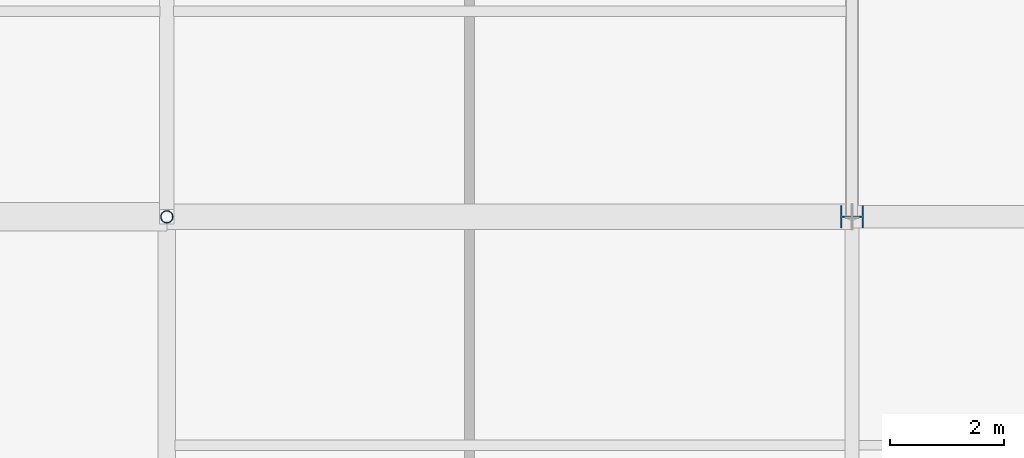
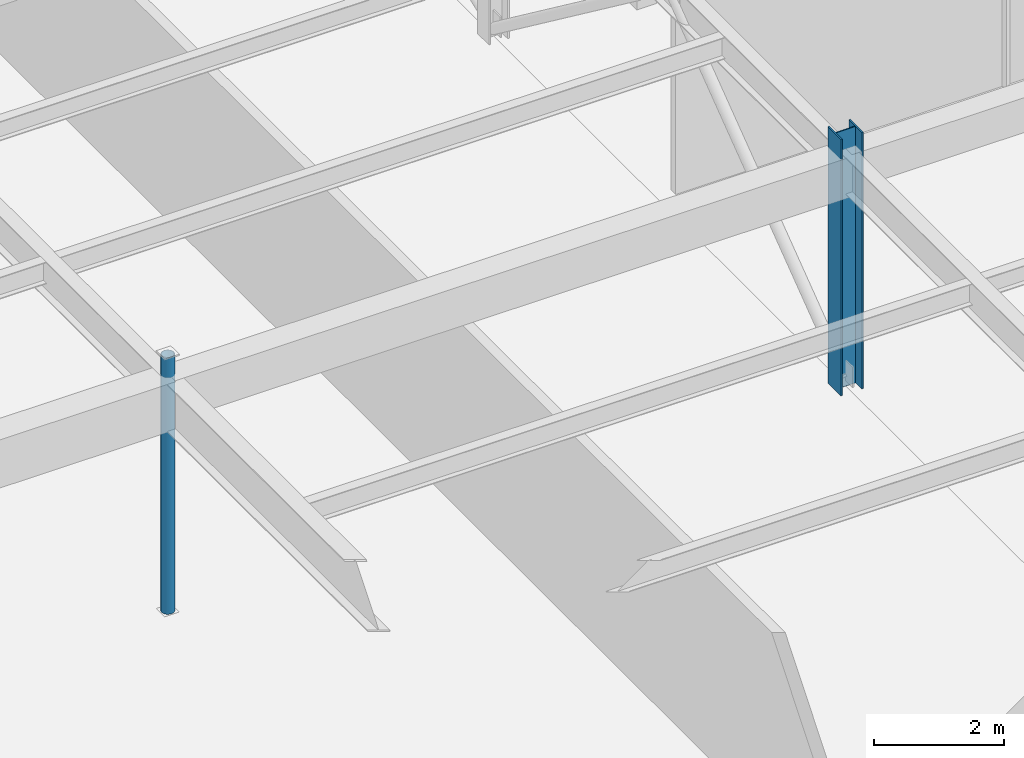
# One storey, part 21 of 226: 2 columns.
"""IFC4 building model written with IfcOpenShell, lengths in metres."""

from ifc_helpers import new_model, si_unit, direction, frame, origin, origin_2d, place, context, subcontext, project, spatial, hollow_circle, i_section, extrude, material, material_profile, profile_set, type_object, element, save


model = new_model("IFC4")

# Units and contexts
model_context = context("Model", 3, precision=1e-05, world=origin(), true_north=direction((0.0, 1.0)))
body_context = subcontext(model_context, "Body", "Model", "MODEL_VIEW")
ifc_project = project(units=[si_unit("LENGTHUNIT", "METRE"), si_unit("AREAUNIT", "SQUARE_METRE"), si_unit("VOLUMEUNIT", "CUBIC_METRE"), si_unit("PLANEANGLEUNIT", "RADIAN"), si_unit("MASSUNIT", "GRAM", prefix="KILO")], contexts=[model_context])

# Site, building, storey
site_placement = place(None, origin())
site = spatial("IfcSite", under=ifc_project, at=site_placement, CompositionType="ELEMENT")
building_placement = place(site_placement, origin())
building = spatial("IfcBuilding", under=site, at=building_placement, Name="Tarnwether General Hospital", CompositionType="ELEMENT")
storey_placement = place(building_placement, frame((0.0, 0.0, 4.800048828125)))
storey = spatial("IfcBuildingStorey", under=building, at=storey_placement, Name="L01", CompositionType="ELEMENT", Elevation=4.800048828125)

# Columns
ifc_material_1 = material(Name="Steel Grade 350 (350 MPa)", Category="steel")
ifc_material_profile_1 = material_profile(ifc_material_1, i_section(OverallWidth=0.39990234375, OverallDepth=0.39990234375, WebThickness=0.02001953125, FlangeThickness=0.028076171875, at=origin_2d()), Name="400WC270")
ifc_profile_set_1 = profile_set([ifc_material_profile_1], Name="Steel Grade 350 (350 MPa)")
column_type_1 = type_object("IfcColumnType", Name="COL-02", PredefinedType="COLUMN", material=ifc_profile_set_1)
column_1_placement = place(storey_placement, frame((60.0, 93.60009765625, 0.0), z_axis=(0.0, 0.0, 1.0), x_axis=(0.0, 1.0, 0.0)))
element("IfcColumn", 1, at=column_1_placement, inside=storey, type_object=column_type_1, Name="Column COLG-L01-6000_9360", PredefinedType="COLUMN", context=body_context, shape_type="SweptSolid", body=[
    extrude(i_section(OverallWidth=0.39990234375, OverallDepth=0.39990234375, WebThickness=0.02001953125, FlangeThickness=0.028076171875, at=origin_2d()), origin(), (0.0, 0.0, 1.0), 4.800048828125),
])
ifc_material_2 = material(Name="Steel Grade C350L0 (350 MPa)", Category="steel")
ifc_material_profile_2 = material_profile(ifc_material_2, hollow_circle(Radius=0.109619140625, WallThickness=0.010009765625, at=origin_2d()), Name="CHS219.1x10.0")
ifc_profile_set_2 = profile_set([ifc_material_profile_2], Name="Steel Grade C350L0 (350 MPa)")
column_type_2 = type_object("IfcColumnType", Name="COL-13", PredefinedType="COLUMN", material=ifc_profile_set_2)
column_2_placement = place(storey_placement, frame((48.0, 93.60009765625, 0.0), z_axis=(0.0, 0.0, 1.0), x_axis=(1.0, 0.0, 0.0)))
element("IfcColumn", 2, at=column_2_placement, inside=storey, type_object=column_type_2, Name="Column COLG-L01-4800_9360", PredefinedType="COLUMN", context=body_context, shape_type="SweptSolid", body=[
    extrude(hollow_circle(Radius=0.109619140625, WallThickness=0.010009765625, at=origin_2d()), origin(), (0.0, 0.0, 1.0), 4.800048828125),
])

save(model, "model.ifc")
